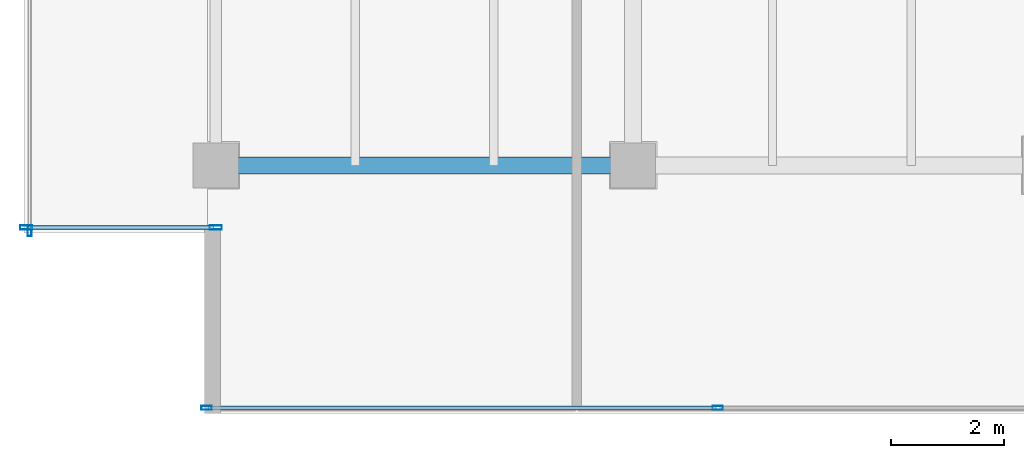
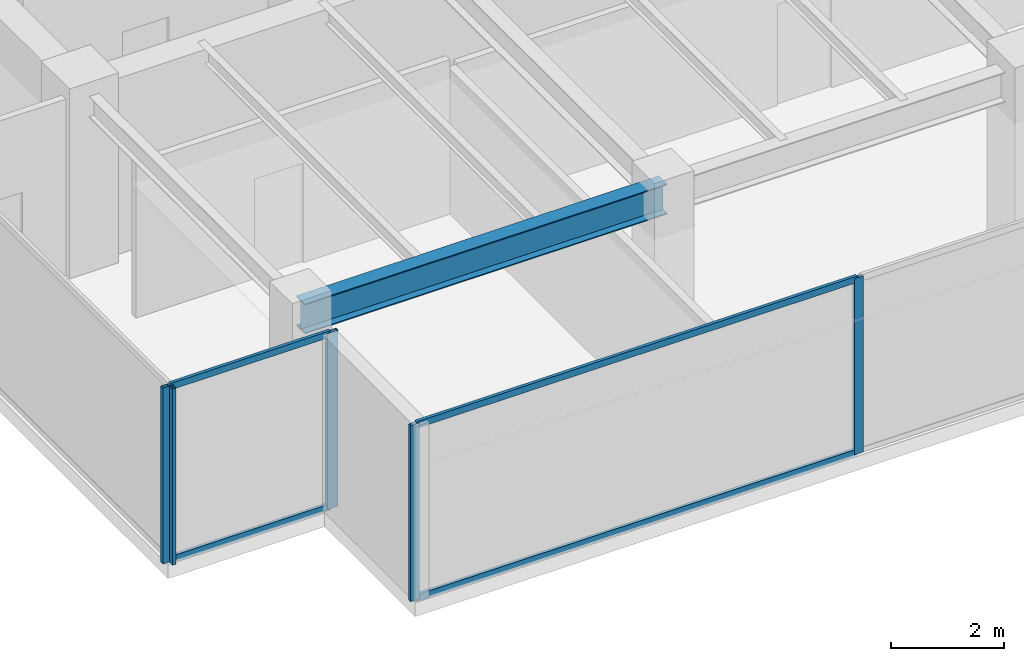
# One storey, part 5 of 35: 9 members, 1 beam, 3 elements without a shape of their own.
"""IFC4 building model written with IfcOpenShell, lengths in metres."""

from ifc_helpers import new_model, si_unit, direction, frame, origin, origin_2d, place, context, subcontext, project, spatial, hollow_rectangle, i_section, extrude, source, transform, mapped, material, layer, layer_set, material_profile, profile_set, type_object, type_shapes, element, aggregate, save


model = new_model("IFC4")

# Units and contexts
model_context = context("Model", 3, precision=1e-05, world=origin(), true_north=direction((0.0, 1.0)))
body_context = subcontext(model_context, "Body", "Model", "MODEL_VIEW")
ifc_project = project(units=[si_unit("LENGTHUNIT", "METRE"), si_unit("AREAUNIT", "SQUARE_METRE"), si_unit("VOLUMEUNIT", "CUBIC_METRE"), si_unit("PLANEANGLEUNIT", "RADIAN"), si_unit("MASSUNIT", "GRAM", prefix="KILO")], contexts=[model_context])

# Site, building, storey
site_placement = place(None, origin())
site = spatial("IfcSite", under=ifc_project, at=site_placement, CompositionType="ELEMENT")
building_placement = place(site_placement, origin())
building = spatial("IfcBuilding", under=site, at=building_placement, Name="Haelvirn Gate Laboratories", CompositionType="ELEMENT")
storey_placement = place(building_placement, frame((0.0, 0.0, 221.89990234375)))
storey = spatial("IfcBuildingStorey", under=building, at=storey_placement, Name="L53", CompositionType="ELEMENT", Elevation=221.89990234375)

# Beam
ifc_material_1 = material(Name="Steel SM355", Category="steel")
ifc_material_profile_1 = material_profile(ifc_material_1, i_section(OverallWidth=0.300048828125, OverallDepth=0.64990234375, WebThickness=0.012939453125, FlangeThickness=0.02197265625, at=origin_2d()), Name="H-650x300x13x22")
ifc_profile_set_1 = profile_set([ifc_material_profile_1], Name="Steel SM355")
beam_type = type_object("IfcBeamType", Name="BM-G-650", PredefinedType="BEAM", material=ifc_profile_set_1)
shared_shape_1 = source(origin(), body_context, "Body", "SweptSolid", [
    extrude(i_section(OverallWidth=0.300048828125, OverallDepth=0.64990234375, WebThickness=0.012939453125, FlangeThickness=0.02197265625, at=origin_2d()), origin(), (0.0, 0.0, 1.0), 7.400146484375),
])
type_shapes(beam_type, [shared_shape_1])
beam_placement = place(storey_placement, frame((7.39990234375, 7.0, 3.47509765625), z_axis=(1.0, 0.0, 0.0), x_axis=(0.0, 1.0, 0.0)))
element("IfcBeam", 1, at=beam_placement, inside=storey, type_object=beam_type, Name="L53 Primary Girder Y7.0 (7.4-14.8)", PredefinedType="BEAM", context=body_context, shape_type="MappedRepresentation", body=[
    mapped(shared_shape_1, transform((0.0, 0.0, 0.0), scale=1.0)),
])

# Curtain wall, members
ifc_material_2 = material(Name="Anodised bronze unitised aluminium & triple low-E glass", Category="aluminium")
ifc_layer_1 = layer(ifc_material_2, 0.181884765625, Name="CW-SYS-5")
ifc_layer_set_1 = layer_set([ifc_layer_1], Name="Anodised bronze unitised aluminium & triple low-E glass")
curtain_wall_type_1 = type_object("IfcCurtainWallType", Name="CW-SYS-5", PredefinedType="NOTDEFINED", material=ifc_layer_set_1)
curtain_wall_1_placement = place(storey_placement, origin())
curtain_wall_1 = element("IfcCurtainWall", 2, at=curtain_wall_1_placement, inside=storey, type_object=curtain_wall_type_1, Name="L53 Unitised Curtain Wall CW-L53-P0-E18-1", PredefinedType="NOTDEFINED")
ifc_material_3 = material(Name="Extruded aluminium 6063-T6 (anodised bronze)", Category="aluminium")
ifc_material_profile_2 = material_profile(ifc_material_3, hollow_rectangle(XDim=0.06494140625, YDim=0.139892578125, WallThickness=0.00390625, at=origin_2d()), Name="CWT-140x65x4")
ifc_profile_set_2 = profile_set([ifc_material_profile_2], Name="Extruded aluminium 6063-T6 (anodised bronze)")
member_type_1 = type_object("IfcMemberType", Name="CWT-T140", PredefinedType="USERDEFINED", material=ifc_profile_set_2)
shared_shape_2 = source(origin(), body_context, "Body", "SweptSolid", [
    extrude(hollow_rectangle(XDim=0.06494140625, YDim=0.139892578125, WallThickness=0.00390625, at=origin_2d()), origin(), (0.0, 0.0, 1.0), 3.280029296875),
])
member_1_placement = place(storey_placement, frame((4.080078125, 5.89990234375, 0.03271484375), z_axis=(1.0, 0.0, 0.0), x_axis=(0.0, 1.0, 0.0)))
member_1 = element("IfcMember", 3, at=member_1_placement, type_object=member_type_1, Name="CW5 transom 1.1", ObjectType="TRANSOM", PredefinedType="USERDEFINED", context=body_context, shape_type="MappedRepresentation", body=[
    mapped(shared_shape_2, transform((0.0, 0.0, 0.0), scale=1.0)),
])
member_2_placement = place(storey_placement, frame((4.080078125, 5.89990234375, 3.767578125), z_axis=(1.0, 0.0, 0.0), x_axis=(0.0, 1.0, 0.0)))
member_2 = element("IfcMember", 4, at=member_2_placement, type_object=member_type_1, Name="CW5 transom 1.2", ObjectType="TRANSOM", PredefinedType="USERDEFINED", context=body_context, shape_type="MappedRepresentation", body=[
    mapped(shared_shape_2, transform((0.0, 0.0, 0.0), scale=1.0)),
])

ifc_layer_2 = layer(ifc_material_2, 0.176025390625, Name="CW-SYS-4")
ifc_layer_set_2 = layer_set([ifc_layer_2], Name="Anodised bronze unitised aluminium & triple low-E glass")
curtain_wall_type_2 = type_object("IfcCurtainWallType", Name="CW-SYS-4", PredefinedType="NOTDEFINED", material=ifc_layer_set_2)
curtain_wall_2_placement = place(storey_placement, origin())
curtain_wall_2 = element("IfcCurtainWall", 5, at=curtain_wall_2_placement, inside=storey, type_object=curtain_wall_type_2, Name="L53 Unitised Curtain Wall CW-L53-P0-E00-1", PredefinedType="NOTDEFINED")
ifc_material_profile_3 = material_profile(ifc_material_3, hollow_rectangle(XDim=0.070068359375, YDim=0.179931640625, WallThickness=0.0048828125, at=origin_2d()), Name="CWM-180x70x5")
ifc_profile_set_3 = profile_set([ifc_material_profile_3], Name="Extruded aluminium 6063-T6 (anodised bronze)")
member_type_2 = type_object("IfcMemberType", Name="CWM-T180", PredefinedType="MULLION", material=ifc_profile_set_3)
shared_shape_3 = source(origin(), body_context, "Body", "SweptSolid", [
    extrude(hollow_rectangle(XDim=0.070068359375, YDim=0.179931640625, WallThickness=0.0048828125, at=origin_2d()), origin(), (0.0, 0.0, 1.0), 3.800048828125),
])
type_shapes(member_type_2, [shared_shape_3])
member_3_placement = place(storey_placement, frame((7.235107421875, 2.699951171875, 0.0), z_axis=(0.0, 0.0, 1.0), x_axis=(0.0, 1.0, 0.0)))
member_3 = element("IfcMember", 6, at=member_3_placement, type_object=member_type_2, Name="CW4 mullion 1", PredefinedType="MULLION", context=body_context, shape_type="MappedRepresentation", body=[
    mapped(shared_shape_3, transform((0.0, 0.0, 0.0), scale=1.0)),
])
member_4_placement = place(storey_placement, frame((16.300048828125, 2.699951171875, 0.0), z_axis=(0.0, 0.0, 1.0), x_axis=(0.0, 1.0, 0.0)))
member_4 = element("IfcMember", 7, at=member_4_placement, type_object=member_type_2, Name="CW4 mullion 2", PredefinedType="MULLION", context=body_context, shape_type="MappedRepresentation", body=[
    mapped(shared_shape_3, transform((0.0, 0.0, 0.0), scale=1.0)),
])

# Curtain wall, member
curtain_wall_3_placement = place(storey_placement, origin())
curtain_wall_3 = element("IfcCurtainWall", 8, at=curtain_wall_3_placement, inside=storey, type_object=curtain_wall_type_2, Name="L53 Unitised Curtain Wall CW-L53-P0-E17", PredefinedType="NOTDEFINED")
member_5_placement = place(storey_placement, frame((4.10009765625, 5.8349609375, 0.0), z_axis=(0.0, 0.0, 1.0), x_axis=(1.0, 0.0, 0.0)))
member_5 = element("IfcMember", 9, at=member_5_placement, type_object=member_type_2, Name="CW4 mullion 3", PredefinedType="MULLION", context=body_context, shape_type="MappedRepresentation", body=[
    mapped(shared_shape_3, transform((0.0, 0.0, 0.0), scale=1.0)),
])
aggregate(curtain_wall_3, [member_5])

# Member
shared_shape_4 = source(origin(), body_context, "Body", "SweptSolid", [
    extrude(hollow_rectangle(XDim=0.06494140625, YDim=0.139892578125, WallThickness=0.00390625, at=origin_2d()), origin(), (0.0, 0.0, 1.0), 8.994873046875),
])
type_shapes(member_type_1, [shared_shape_2, shared_shape_4])
member_6_placement = place(storey_placement, frame((7.27001953125, 2.699951171875, 0.03271484375), z_axis=(1.0, 0.0, 0.0), x_axis=(0.0, 1.0, 0.0)))
member_6 = element("IfcMember", 10, at=member_6_placement, type_object=member_type_1, Name="CW4 transom 1.1", ObjectType="TRANSOM", PredefinedType="USERDEFINED", context=body_context, shape_type="MappedRepresentation", body=[
    mapped(shared_shape_4, transform((0.0, 0.0, 0.0), scale=1.0)),
])

member_7_placement = place(storey_placement, frame((7.27001953125, 2.699951171875, 3.767578125), z_axis=(1.0, 0.0, 0.0), x_axis=(0.0, 1.0, 0.0)))
member_7 = element("IfcMember", 11, at=member_7_placement, type_object=member_type_1, Name="CW4 transom 1.2", ObjectType="TRANSOM", PredefinedType="USERDEFINED", context=body_context, shape_type="MappedRepresentation", body=[
    mapped(shared_shape_4, transform((0.0, 0.0, 0.0), scale=1.0)),
])

aggregate(curtain_wall_2, [member_3, member_4, member_6, member_7])

ifc_material_profile_4 = material_profile(ifc_material_3, hollow_rectangle(XDim=0.080078125, YDim=0.219970703125, WallThickness=0.006103515625, at=origin_2d()), Name="CWM-220x80x6")
ifc_profile_set_4 = profile_set([ifc_material_profile_4], Name="Extruded aluminium 6063-T6 (anodised bronze)")
member_type_3 = type_object("IfcMemberType", Name="CWM-T220", PredefinedType="MULLION", material=ifc_profile_set_4)
shared_shape_5 = source(origin(), body_context, "Body", "SweptSolid", [
    extrude(hollow_rectangle(XDim=0.080078125, YDim=0.219970703125, WallThickness=0.006103515625, at=origin_2d()), origin(), (0.0, 0.0, 1.0), 3.800048828125),
])
type_shapes(member_type_3, [shared_shape_5])
member_8_placement = place(storey_placement, frame((4.0400390625, 5.89990234375, 0.0), z_axis=(0.0, 0.0, 1.0), x_axis=(0.0, 1.0, 0.0)))
member_8 = element("IfcMember", 12, at=member_8_placement, type_object=member_type_3, Name="CW5 mullion 1", PredefinedType="MULLION", context=body_context, shape_type="MappedRepresentation", body=[
    mapped(shared_shape_5, transform((0.0, 0.0, 0.0), scale=1.0)),
])

member_9_placement = place(storey_placement, frame((7.39990234375, 5.89990234375, 0.0), z_axis=(0.0, 0.0, 1.0), x_axis=(0.0, 1.0, 0.0)))
member_9 = element("IfcMember", 13, at=member_9_placement, type_object=member_type_3, Name="CW5 mullion 2", PredefinedType="MULLION", context=body_context, shape_type="MappedRepresentation", body=[
    mapped(shared_shape_5, transform((0.0, 0.0, 0.0), scale=1.0)),
])

aggregate(curtain_wall_1, [member_8, member_9, member_1, member_2])

save(model, "model.ifc")
